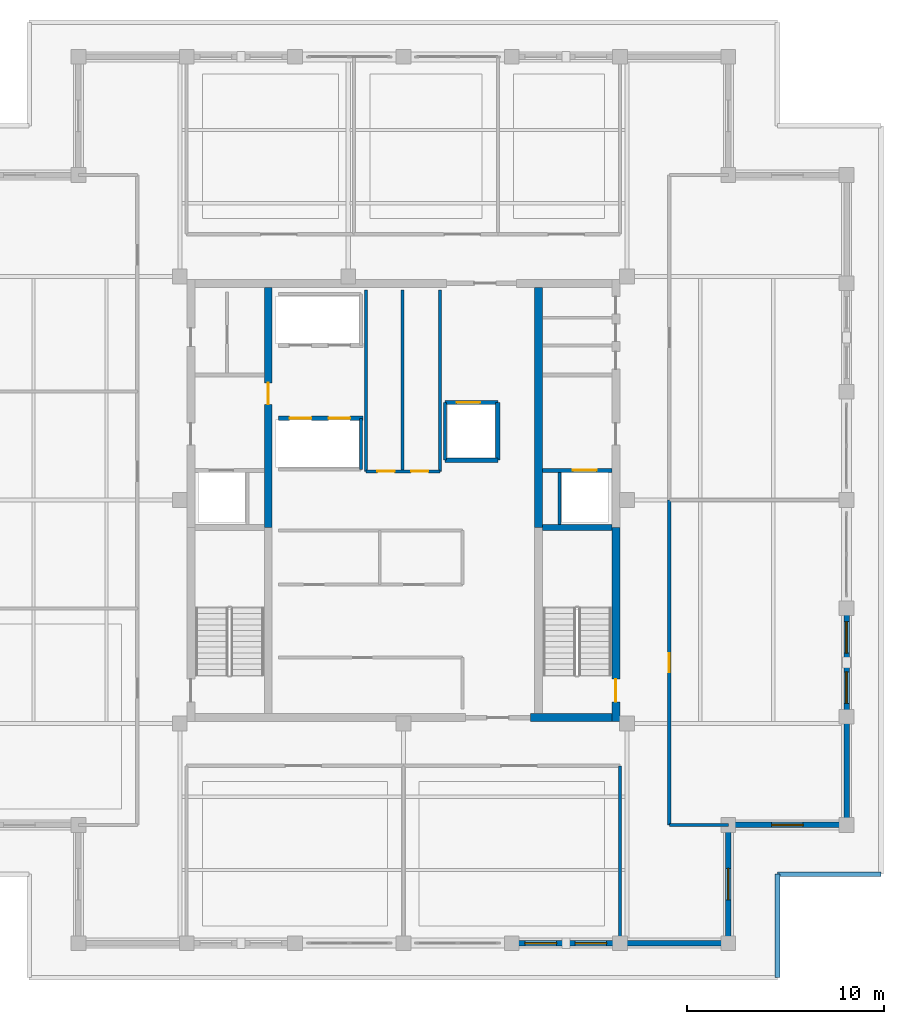
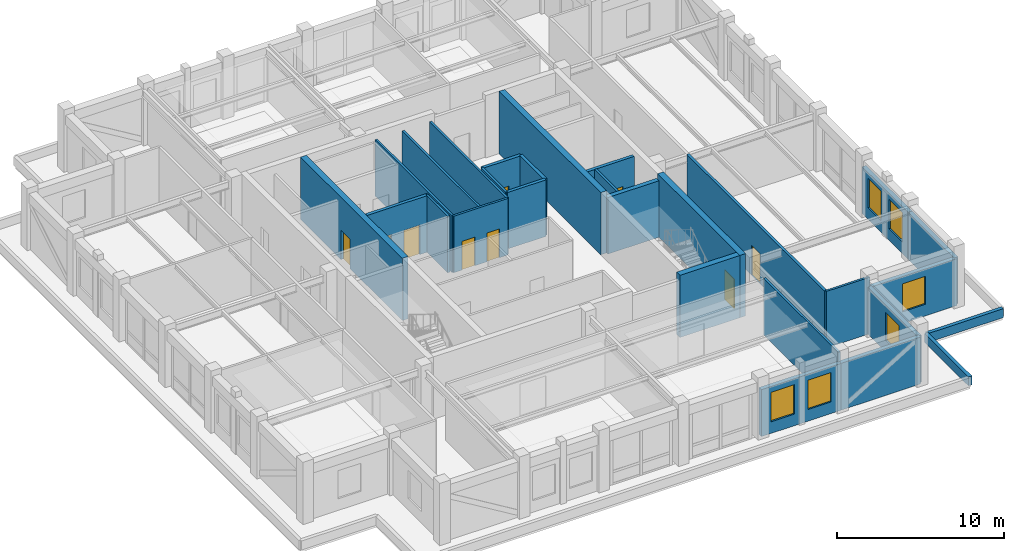
# One storey, part 8 of 13: 28 walls, 9 doors, 6 windows, 15 openings.
"""IFC4 building model written with IfcOpenShell, lengths in metres."""

from ifc_helpers import new_model, si_unit, direction, frame, frame_2d, origin, place, context, subcontext, project, spatial, rectangle, extrude, material, layer, layer_set, type_object, element, fill, save


model = new_model("IFC4")

# Units and contexts
model_context = context("Model", 3, precision=1e-05, world=origin(), true_north=direction((0.0, 1.0)))
body_context = subcontext(model_context, "Body", "Model", "MODEL_VIEW")
ifc_project = project(units=[si_unit("LENGTHUNIT", "METRE"), si_unit("AREAUNIT", "SQUARE_METRE"), si_unit("VOLUMEUNIT", "CUBIC_METRE"), si_unit("PLANEANGLEUNIT", "RADIAN"), si_unit("MASSUNIT", "GRAM", prefix="KILO")], contexts=[model_context])

# Site, building, storey
site_placement = place(None, origin())
site = spatial("IfcSite", under=ifc_project, at=site_placement, CompositionType="ELEMENT")
building_placement = place(site_placement, origin())
building = spatial("IfcBuilding", under=site, at=building_placement, Name="Nhamokura Convention Tower", CompositionType="ELEMENT")
storey_placement = place(building_placement, frame((0.0, 0.0, 257.60009765625)))
storey = spatial("IfcBuildingStorey", under=building, at=storey_placement, Name="L63", CompositionType="ELEMENT", Elevation=257.60009765625)

# Wall, openings, windows
ifc_material_1 = material(Name="Bronze-pigmented precast concrete C45/55", Category="concrete")
ifc_layer_1 = layer(ifc_material_1, 0.280029296875)
ifc_layer_set_1 = layer_set([ifc_layer_1], Name="BronzePrecastSpandrel_280")
wall_type_1 = type_object("IfcWallType", Name="BronzePrecastSpandrel_280", PredefinedType="USERDEFINED", material=ifc_layer_set_1)
wall_1_placement = place(storey_placement, frame((43.0, 9.5, 0.0), z_axis=(0.0, 0.0, 1.0), x_axis=(-1.0, 0.0, 0.0)))
wall_1 = element("IfcWall", 1, at=wall_1_placement, inside=storey, type_object=wall_type_1, Name="L63 Masonry-Frame Wall SOUTH 4", ObjectType="SPANDREL_WALL", PredefinedType="USERDEFINED", context=body_context, shape_type="SweptSolid", body=[
    extrude(rectangle(XDim=5.5, YDim=0.280029296875, at=frame_2d((2.75, 0.0))), origin(), (0.0, 0.0, 1.0), 3.429931640625),
])
opening_1_placement = place(wall_1_placement, frame((0.675048828125, 0.0, 0.85009765625)))
opening_1 = element("IfcOpeningElement", 2, at=opening_1_placement, cuts=wall_1, Name="Opening W-11", PredefinedType="OPENING", context=body_context, shape_type="SweptSolid", body=[
    extrude(rectangle(XDim=1.60009765625, YDim=2.14990234375, at=frame_2d((0.800048828125, 1.074951171875))), frame((0.0, 0.14990234375, 0.0), z_axis=(0.0, -1.0, 0.0), x_axis=(1.0, 0.0, 0.0)), (0.0, 0.0, 1.0), 0.300048828125),
])
opening_2_placement = place(wall_1_placement, frame((3.22509765625, 0.0, 0.85009765625)))
opening_2 = element("IfcOpeningElement", 3, at=opening_2_placement, cuts=wall_1, Name="Opening W-11", PredefinedType="OPENING", context=body_context, shape_type="SweptSolid", body=[
    extrude(rectangle(XDim=1.60009765625, YDim=2.14990234375, at=frame_2d((0.800048828125, 1.074951171875))), frame((0.0, 0.14990234375, 0.0), z_axis=(0.0, -1.0, 0.0), x_axis=(1.0, 0.0, 0.0)), (0.0, 0.0, 1.0), 0.300048828125),
])
ifc_material_2 = material(Name="Solar-control bronze low-E double glass", Category="glass")
window_type = type_object("IfcWindowType", Name="NotchCornerWindow_1600", PartitioningType="SINGLE_PANEL", PredefinedType="WINDOW", material=ifc_material_2)
window_1_placement = place(opening_1_placement, origin())
window_1 = element("IfcWindow", 4, at=window_1_placement, inside=storey, type_object=window_type, Name="L63 Facade Window SOUTH 4-1", OverallHeight=2.14990234375, OverallWidth=1.60009765625, PartitioningType="SINGLE_PANEL", PredefinedType="WINDOW", context=body_context, shape_type="SweptSolid", body=[
    extrude(rectangle(XDim=1.60009765625, YDim=2.14990234375, at=frame_2d((0.800048828125, 1.074951171875))), frame((0.0, 0.030029296875, 0.0), z_axis=(0.0, -1.0, 0.0), x_axis=(1.0, 0.0, 0.0)), (0.0, 0.0, 1.0), 0.06005859375),
])
fill(opening_1, window_1)
window_2_placement = place(opening_2_placement, origin())
window_2 = element("IfcWindow", 5, at=window_2_placement, inside=storey, type_object=window_type, Name="L63 Facade Window SOUTH 4-2", OverallHeight=2.14990234375, OverallWidth=1.60009765625, PartitioningType="SINGLE_PANEL", PredefinedType="WINDOW", context=body_context, shape_type="SweptSolid", body=[
    extrude(rectangle(XDim=1.60009765625, YDim=2.14990234375, at=frame_2d((0.800048828125, 1.074951171875))), frame((0.0, 0.030029296875, 0.0), z_axis=(0.0, -1.0, 0.0), x_axis=(1.0, 0.0, 0.0)), (0.0, 0.0, 1.0), 0.06005859375),
])
fill(opening_2, window_2)

# Walls
for number, where, z_axis, x_axis, name in (
    (6, (48.5, 9.5, 0.0), (0.0, 0.0, 1.0), (-1.0, 0.0, 0.0), "L63 Braced-Bay Precast Wall SOUTH 5"),
    (7, (54.5, 21.0, 0.0), (0.0, 0.0, 1.0), (0.0, -1.0, 0.0), "L63 Braced-Bay Precast Wall EAST 0"),
):
    element("IfcWall", number, at=place(storey_placement, frame(where, z_axis=z_axis, x_axis=x_axis)), inside=storey, type_object=wall_type_1, Name=name, ObjectType="SPANDREL_WALL", PredefinedType="USERDEFINED", context=body_context, shape_type="SweptSolid", body=[
        extrude(rectangle(XDim=5.5, YDim=0.280029296875, at=frame_2d((2.75, 0.0))), origin(), (0.0, 0.0, 1.0), 3.429931640625),
    ])

# Wall, openings, windows
wall_2_placement = place(storey_placement, frame((54.5, 26.5, 0.0), z_axis=(0.0, 0.0, 1.0), x_axis=(0.0, -1.0, 0.0)))
wall_2 = element("IfcWall", 8, at=wall_2_placement, inside=storey, type_object=wall_type_1, Name="L63 Masonry-Frame Wall EAST 1", ObjectType="SPANDREL_WALL", PredefinedType="USERDEFINED", context=body_context, shape_type="SweptSolid", body=[
    extrude(rectangle(XDim=5.5, YDim=0.280029296875, at=frame_2d((2.75, 0.0))), origin(), (0.0, 0.0, 1.0), 3.429931640625),
])
opening_3_placement = place(wall_2_placement, frame((0.675048828125, 0.0, 0.85009765625)))
opening_3 = element("IfcOpeningElement", 9, at=opening_3_placement, cuts=wall_2, Name="Opening W-11", PredefinedType="OPENING", context=body_context, shape_type="SweptSolid", body=[
    extrude(rectangle(XDim=1.60009765625, YDim=2.14990234375, at=frame_2d((0.800048828125, 1.074951171875))), frame((0.0, 0.14990234375, 0.0), z_axis=(0.0, -1.0, 0.0), x_axis=(1.0, 0.0, 0.0)), (0.0, 0.0, 1.0), 0.300048828125),
])
opening_4_placement = place(wall_2_placement, frame((3.22509765625, 0.0, 0.85009765625)))
opening_4 = element("IfcOpeningElement", 10, at=opening_4_placement, cuts=wall_2, Name="Opening W-11", PredefinedType="OPENING", context=body_context, shape_type="SweptSolid", body=[
    extrude(rectangle(XDim=1.60009765625, YDim=2.14990234375, at=frame_2d((0.800048828125, 1.074951171875))), frame((0.0, 0.14990234375, 0.0), z_axis=(0.0, -1.0, 0.0), x_axis=(1.0, 0.0, 0.0)), (0.0, 0.0, 1.0), 0.300048828125),
])
window_3_placement = place(opening_3_placement, origin())
window_3 = element("IfcWindow", 11, at=window_3_placement, inside=storey, type_object=window_type, Name="L63 Facade Window EAST 1-1", OverallHeight=2.14990234375, OverallWidth=1.60009765625, PartitioningType="SINGLE_PANEL", PredefinedType="WINDOW", context=body_context, shape_type="SweptSolid", body=[
    extrude(rectangle(XDim=1.60009765625, YDim=2.14990234375, at=frame_2d((0.800048828125, 1.074951171875))), frame((0.0, 0.030029296875, 0.0), z_axis=(0.0, -1.0, 0.0), x_axis=(1.0, 0.0, 0.0)), (0.0, 0.0, 1.0), 0.06005859375),
])
fill(opening_3, window_3)
window_4_placement = place(opening_4_placement, origin())
window_4 = element("IfcWindow", 12, at=window_4_placement, inside=storey, type_object=window_type, Name="L63 Facade Window EAST 1-2", OverallHeight=2.14990234375, OverallWidth=1.60009765625, PartitioningType="SINGLE_PANEL", PredefinedType="WINDOW", context=body_context, shape_type="SweptSolid", body=[
    extrude(rectangle(XDim=1.60009765625, YDim=2.14990234375, at=frame_2d((0.800048828125, 1.074951171875))), frame((0.0, 0.030029296875, 0.0), z_axis=(0.0, -1.0, 0.0), x_axis=(1.0, 0.0, 0.0)), (0.0, 0.0, 1.0), 0.06005859375),
])
fill(opening_4, window_4)

# Wall, opening, window
wall_3_placement = place(storey_placement, frame((48.5, 15.5, 0.0), z_axis=(0.0, 0.0, 1.0), x_axis=(0.0, -1.0, 0.0)))
wall_3 = element("IfcWall", 13, at=wall_3_placement, inside=storey, type_object=wall_type_1, Name="L63 Notched Corner Wall SE1", ObjectType="SPANDREL_WALL", PredefinedType="USERDEFINED", context=body_context, shape_type="SweptSolid", body=[
    extrude(rectangle(XDim=6.0, YDim=0.280029296875, at=frame_2d((3.0, 0.0))), origin(), (0.0, 0.0, 1.0), 3.429931640625),
])
opening_5_placement = place(wall_3_placement, frame((2.199951171875, 0.0, 0.85009765625)))
opening_5 = element("IfcOpeningElement", 14, at=opening_5_placement, cuts=wall_3, Name="Opening W-11", PredefinedType="OPENING", context=body_context, shape_type="SweptSolid", body=[
    extrude(rectangle(XDim=1.60009765625, YDim=2.050048828125, at=frame_2d((0.800048828125, 1.02490234375))), frame((0.0, 0.14990234375, 0.0), z_axis=(0.0, -1.0, 0.0), x_axis=(1.0, 0.0, 0.0)), (0.0, 0.0, 1.0), 0.300048828125),
])
window_5_placement = place(opening_5_placement, origin())
window_5 = element("IfcWindow", 15, at=window_5_placement, inside=storey, type_object=window_type, Name="L63 Notched Corner Window SE1", OverallHeight=2.050048828125, OverallWidth=1.60009765625, PartitioningType="SINGLE_PANEL", PredefinedType="WINDOW", context=body_context, shape_type="SweptSolid", body=[
    extrude(rectangle(XDim=1.60009765625, YDim=2.050048828125, at=frame_2d((0.800048828125, 1.02490234375))), frame((0.0, 0.030029296875, 0.0), z_axis=(0.0, -1.0, 0.0), x_axis=(1.0, 0.0, 0.0)), (0.0, 0.0, 1.0), 0.06005859375),
])
fill(opening_5, window_5)

wall_4_placement = place(storey_placement, frame((54.5, 15.5, 0.0), z_axis=(0.0, 0.0, 1.0), x_axis=(-1.0, 0.0, 0.0)))
wall_4 = element("IfcWall", 16, at=wall_4_placement, inside=storey, type_object=wall_type_1, Name="L63 Notched Corner Wall SE2", ObjectType="SPANDREL_WALL", PredefinedType="USERDEFINED", context=body_context, shape_type="SweptSolid", body=[
    extrude(rectangle(XDim=6.0, YDim=0.280029296875, at=frame_2d((3.0, 0.0))), origin(), (0.0, 0.0, 1.0), 3.429931640625),
])
opening_6_placement = place(wall_4_placement, frame((2.199951171875, 0.0, 0.85009765625)))
opening_6 = element("IfcOpeningElement", 17, at=opening_6_placement, cuts=wall_4, Name="Opening W-11", PredefinedType="OPENING", context=body_context, shape_type="SweptSolid", body=[
    extrude(rectangle(XDim=1.60009765625, YDim=2.050048828125, at=frame_2d((0.800048828125, 1.02490234375))), frame((0.0, 0.14990234375, 0.0), z_axis=(0.0, -1.0, 0.0), x_axis=(1.0, 0.0, 0.0)), (0.0, 0.0, 1.0), 0.300048828125),
])
window_6_placement = place(opening_6_placement, origin())
window_6 = element("IfcWindow", 18, at=window_6_placement, inside=storey, type_object=window_type, Name="L63 Notched Corner Window SE2", OverallHeight=2.050048828125, OverallWidth=1.60009765625, PartitioningType="SINGLE_PANEL", PredefinedType="WINDOW", context=body_context, shape_type="SweptSolid", body=[
    extrude(rectangle(XDim=1.60009765625, YDim=2.050048828125, at=frame_2d((0.800048828125, 1.02490234375))), frame((0.0, 0.030029296875, 0.0), z_axis=(0.0, -1.0, 0.0), x_axis=(1.0, 0.0, 0.0)), (0.0, 0.0, 1.0), 0.06005859375),
])
fill(opening_6, window_6)

# Wall, opening, door
ifc_material_3 = material(Name="Concrete C50/60", Category="concrete")
ifc_layer_2 = layer(ifc_material_3, 0.39990234375)
ifc_layer_set_2 = layer_set([ifc_layer_2], Name="CoreShearWall_400")
wall_type_2 = type_object("IfcWallType", Name="CoreShearWall_400", PredefinedType="SHEAR", material=ifc_layer_set_2)
wall_5_placement = place(storey_placement, frame((42.7900390625, 20.75, 0.0), z_axis=(0.0, 0.0, 1.0), x_axis=(0.0, 1.0, 0.0)))
wall_5 = element("IfcWall", 19, at=wall_5_placement, inside=storey, type_object=wall_type_2, Name="L63 Core Shear Wall CW-ES", PredefinedType="SHEAR", context=body_context, shape_type="SweptSolid", body=[
    extrude(rectangle(XDim=9.85009765625, YDim=0.39990234375, at=frame_2d((4.925048828125, 0.0))), origin(), (0.0, 0.0, 1.0), 4.5498046875),
])
opening_7_placement = place(wall_5_placement, frame((1.0, 0.0, 0.0)))
opening_7 = element("IfcOpeningElement", 20, at=opening_7_placement, cuts=wall_5, Name="Opening D-04", PredefinedType="OPENING", context=body_context, shape_type="SweptSolid", body=[
    extrude(rectangle(XDim=1.14990234375, YDim=2.14990234375, at=frame_2d((0.574951171875, 1.074951171875))), frame((0.0, 0.2099609375, 0.0), z_axis=(0.0, -1.0, 0.0), x_axis=(1.0, 0.0, 0.0)), (0.0, 0.0, 1.0), 0.419921875),
])
ifc_material_4 = material(Name="Fire-rated steel door", Category="steel")
door_type_1 = type_object("IfcDoorType", Name="StairSmokeDoor_1150", OperationType="NOTDEFINED", PredefinedType="DOOR", material=ifc_material_4)
door_1_placement = place(opening_7_placement, origin())
door_1 = element("IfcDoor", 21, at=door_1_placement, inside=storey, type_object=door_type_1, Name="L63 Core Door INT-L63-D-ST02", OperationType="SINGLE_SWING_RIGHT", OverallHeight=2.14990234375, OverallWidth=1.14990234375, PredefinedType="DOOR", context=body_context, shape_type="SweptSolid", body=[
    extrude(rectangle(XDim=1.14990234375, YDim=2.14990234375, at=frame_2d((0.574951171875, 1.074951171875))), frame((0.0, 0.02490234375, 0.0), z_axis=(0.0, -1.0, 0.0), x_axis=(1.0, 0.0, 0.0)), (0.0, 0.0, 1.0), 0.050048828125),
])
fill(opening_7, door_1)

# Wall
wall_6_placement = place(storey_placement, frame((38.449951171875, 20.949951171875, 0.0), z_axis=(0.0, 0.0, 1.0), x_axis=(1.0, 0.0, 0.0)))
element("IfcWall", 22, at=wall_6_placement, inside=storey, type_object=wall_type_2, Name="L63 Core Shear Wall CW-S2", PredefinedType="SHEAR", context=body_context, shape_type="SweptSolid", body=[
    extrude(rectangle(XDim=4.14013671875, YDim=0.39990234375, at=frame_2d((2.070068359375, 0.0))), origin(), (0.0, 0.0, 1.0), 4.5498046875),
])

# Wall, opening, door
wall_7_placement = place(storey_placement, frame((25.139892578125, 30.60009765625, 0.0), z_axis=(0.0, 0.0, 1.0), x_axis=(0.0, 1.0, 0.0)))
wall_7 = element("IfcWall", 23, at=wall_7_placement, inside=storey, type_object=wall_type_2, Name="L63 Core Shear Wall CW-IWN", PredefinedType="SHEAR", context=body_context, shape_type="SweptSolid", body=[
    extrude(rectangle(XDim=12.199951171875, YDim=0.39990234375, at=frame_2d((6.10009765625, 0.0))), origin(), (0.0, 0.0, 1.0), 4.5498046875),
])
opening_8_placement = place(wall_7_placement, frame((6.25, 0.0, 0.0)))
opening_8 = element("IfcOpeningElement", 24, at=opening_8_placement, cuts=wall_7, Name="Opening D-05", PredefinedType="OPENING", context=body_context, shape_type="SweptSolid", body=[
    extrude(rectangle(XDim=1.10009765625, YDim=2.14990234375, at=frame_2d((0.550048828125, 1.074951171875))), frame((0.0, 0.2099609375, 0.0), z_axis=(0.0, -1.0, 0.0), x_axis=(1.0, 0.0, 0.0)), (0.0, 0.0, 1.0), 0.419921875),
])
ifc_material_5 = material(Name="Fire-rated steel door", Category="steel")
door_type_2 = type_object("IfcDoorType", Name="FireLobbyDoor_1100", OperationType="NOTDEFINED", PredefinedType="DOOR", material=ifc_material_5)
door_2_placement = place(opening_8_placement, origin())
door_2 = element("IfcDoor", 25, at=door_2_placement, inside=storey, type_object=door_type_2, Name="L63 Core Door INT-L63-D-B3LOB", OperationType="SINGLE_SWING_LEFT", OverallHeight=2.14990234375, OverallWidth=1.10009765625, PredefinedType="DOOR", context=body_context, shape_type="SweptSolid", body=[
    extrude(rectangle(XDim=1.10009765625, YDim=2.14990234375, at=frame_2d((0.550048828125, 1.074951171875))), frame((0.0, 0.02490234375, 0.0), z_axis=(0.0, -1.0, 0.0), x_axis=(1.0, 0.0, 0.0)), (0.0, 0.0, 1.0), 0.050048828125),
])
fill(opening_8, door_2)

# Wall
wall_8_placement = place(storey_placement, frame((38.860107421875, 30.60009765625, 0.0), z_axis=(0.0, 0.0, 1.0), x_axis=(0.0, 1.0, 0.0)))
element("IfcWall", 26, at=wall_8_placement, inside=storey, type_object=wall_type_2, Name="L63 Core Shear Wall CW-IEN", PredefinedType="SHEAR", context=body_context, shape_type="SweptSolid", body=[
    extrude(rectangle(XDim=12.199951171875, YDim=0.39990234375, at=frame_2d((6.10009765625, 0.0))), origin(), (0.0, 0.0, 1.0), 4.5498046875),
])

# Wall, opening, door
ifc_material_6 = material(Name="Fire-rated gypsum and masonry partition", Category="masonry")
ifc_layer_3 = layer(ifc_material_6, 0.179931640625)
ifc_layer_set_3 = layer_set([ifc_layer_3], Name="CorridorRatedWall_180")
wall_type_3 = type_object("IfcWallType", Name="CorridorRatedWall_180", PredefinedType="STANDARD", material=ifc_layer_set_3)
wall_9_placement = place(storey_placement, frame((45.5, 15.5, 0.0), z_axis=(0.0, 0.0, 1.0), x_axis=(0.0, 1.0, 0.0)))
wall_9 = element("IfcWall", 27, at=wall_9_placement, inside=storey, type_object=wall_type_3, Name="L63 Wall INT-L63-CW-E00", PredefinedType="STANDARD", context=body_context, shape_type="SweptSolid", body=[
    extrude(rectangle(XDim=16.5, YDim=0.179931640625, at=frame_2d((8.25, 0.0))), origin(), (0.0, 0.0, 1.0), 4.1298828125),
])
opening_9_placement = place(wall_9_placement, frame((7.75, 0.0, 0.0)))
opening_9 = element("IfcOpeningElement", 28, at=opening_9_placement, cuts=wall_9, Name="Opening D-08", PredefinedType="OPENING", context=body_context, shape_type="SweptSolid", body=[
    extrude(rectangle(XDim=0.97998046875, YDim=2.199951171875, at=frame_2d((0.489990234375, 1.10009765625))), frame((0.0, 0.099853515625, 0.0), z_axis=(0.0, -1.0, 0.0), x_axis=(1.0, 0.0, 0.0)), (0.0, 0.0, 1.0), 0.199951171875),
])
ifc_material_7 = material(Name="Solid oak hardwood", Category="wood")
door_type_3 = type_object("IfcDoorType", Name="OfficeEntryDoor_980", OperationType="NOTDEFINED", PredefinedType="DOOR", material=ifc_material_7)
door_3_placement = place(opening_9_placement, origin())
door_3 = element("IfcDoor", 29, at=door_3_placement, inside=storey, type_object=door_type_3, Name="L63 Waiting Lounge E01 Door", OperationType="SINGLE_SWING_LEFT", OverallHeight=2.199951171875, OverallWidth=0.97998046875, PredefinedType="DOOR", context=body_context, shape_type="SweptSolid", body=[
    extrude(rectangle(XDim=0.97998046875, YDim=2.199951171875, at=frame_2d((0.489990234375, 1.10009765625))), frame((0.0, 0.02490234375, 0.0), z_axis=(0.0, -1.0, 0.0), x_axis=(1.0, 0.0, 0.0)), (0.0, 0.0, 1.0), 0.050048828125),
])
fill(opening_9, door_3)

ifc_material_8 = material(Name="Autoclaved concrete blockwork", Category="masonry")
ifc_layer_4 = layer(ifc_material_8, 0.219970703125)
ifc_layer_set_4 = layer_set([ifc_layer_4], Name="FireLobbyWall_220")
wall_type_4 = type_object("IfcWallType", Name="FireLobbyWall_220", PredefinedType="STANDARD", material=ifc_layer_set_4)
wall_10_placement = place(storey_placement, frame((39.06005859375, 33.5, 0.0), z_axis=(0.0, 0.0, 1.0), x_axis=(1.0, 0.0, 0.0)))
wall_10 = element("IfcWall", 30, at=wall_10_placement, inside=storey, type_object=wall_type_4, Name="L63 Wall INT-L63-FFE-S", PredefinedType="STANDARD", context=body_context, shape_type="SweptSolid", body=[
    extrude(rectangle(XDim=3.530029296875, YDim=0.219970703125, at=frame_2d((1.76513671875, 0.0))), origin(), (0.0, 0.0, 1.0), 4.1298828125),
])
opening_10_placement = place(wall_10_placement, frame((1.550048828125, 0.0, 0.0)))
opening_10 = element("IfcOpeningElement", 31, at=opening_10_placement, cuts=wall_10, Name="Opening LD-02", PredefinedType="OPENING", context=body_context, shape_type="SweptSolid", body=[
    extrude(rectangle(XDim=1.199951171875, YDim=2.199951171875, at=frame_2d((0.60009765625, 1.10009765625))), frame((0.0, 0.119873046875, 0.0), z_axis=(0.0, -1.0, 0.0), x_axis=(1.0, 0.0, 0.0)), (0.0, 0.0, 1.0), 0.239990234375),
])
ifc_material_9 = material(Name="Anodised bronze stainless steel", Category="steel")
door_type_4 = type_object("IfcDoorType", Name="LiftLandingDoor_FireService", OperationType="DOUBLE_DOOR_SLIDING", PredefinedType="DOOR", material=ifc_material_9)
door_4_placement = place(opening_10_placement, origin())
door_4 = element("IfcDoor", 32, at=door_4_placement, inside=storey, type_object=door_type_4, Name="L63 Firefighting Lift LF-02 Door", OperationType="DOUBLE_DOOR_SLIDING", OverallHeight=2.199951171875, OverallWidth=1.199951171875, PredefinedType="DOOR", context=body_context, shape_type="SweptSolid", body=[
    extrude(rectangle(XDim=1.199951171875, YDim=2.199951171875, at=frame_2d((0.60009765625, 1.10009765625))), frame((0.0, 0.02490234375, 0.0), z_axis=(0.0, -1.0, 0.0), x_axis=(1.0, 0.0, 0.0)), (0.0, 0.0, 1.0), 0.050048828125),
])
fill(opening_10, door_4)

# Wall, openings, doors
wall_11_placement = place(storey_placement, frame((25.64990234375, 36.14990234375, 0.0), z_axis=(0.0, 0.0, 1.0), x_axis=(1.0, 0.0, 0.0)))
wall_11 = element("IfcWall", 33, at=wall_11_placement, inside=storey, type_object=wall_type_4, Name="L63 Wall INT-L63-B3S", PredefinedType="STANDARD", context=body_context, shape_type="SweptSolid", body=[
    extrude(rectangle(XDim=4.300048828125, YDim=0.219970703125, at=frame_2d((2.14990234375, 0.0))), origin(), (0.0, 0.0, 1.0), 4.1298828125),
])
opening_11_placement = place(wall_11_placement, frame((0.580078125, 0.0, 0.0)))
opening_11 = element("IfcOpeningElement", 34, at=opening_11_placement, cuts=wall_11, Name="Opening LD-01", PredefinedType="OPENING", context=body_context, shape_type="SweptSolid", body=[
    extrude(rectangle(XDim=1.10009765625, YDim=2.14990234375, at=frame_2d((0.550048828125, 1.074951171875))), frame((0.0, 0.119873046875, 0.0), z_axis=(0.0, -1.0, 0.0), x_axis=(1.0, 0.0, 0.0)), (0.0, 0.0, 1.0), 0.239990234375),
])
opening_12_placement = place(wall_11_placement, frame((2.550048828125, 0.0, 0.0)))
opening_12 = element("IfcOpeningElement", 35, at=opening_12_placement, cuts=wall_11, Name="Opening LD-01", PredefinedType="OPENING", context=body_context, shape_type="SweptSolid", body=[
    extrude(rectangle(XDim=1.10009765625, YDim=2.14990234375, at=frame_2d((0.550048828125, 1.074951171875))), frame((0.0, 0.119873046875, 0.0), z_axis=(0.0, -1.0, 0.0), x_axis=(1.0, 0.0, 0.0)), (0.0, 0.0, 1.0), 0.239990234375),
])
ifc_material_10 = material(Name="Anodised bronze stainless steel", Category="steel")
door_type_5 = type_object("IfcDoorType", Name="LiftLandingDoor_Passenger", OperationType="DOUBLE_DOOR_SLIDING", PredefinedType="DOOR", material=ifc_material_10)
door_5_placement = place(opening_11_placement, origin())
door_5 = element("IfcDoor", 36, at=door_5_placement, inside=storey, type_object=door_type_5, Name="L63 Lift LP-09 Door", OperationType="DOUBLE_DOOR_SLIDING", OverallHeight=2.14990234375, OverallWidth=1.10009765625, PredefinedType="DOOR", context=body_context, shape_type="SweptSolid", body=[
    extrude(rectangle(XDim=1.10009765625, YDim=2.14990234375, at=frame_2d((0.550048828125, 1.074951171875))), frame((0.0, 0.02490234375, 0.0), z_axis=(0.0, -1.0, 0.0), x_axis=(1.0, 0.0, 0.0)), (0.0, 0.0, 1.0), 0.050048828125),
])
fill(opening_11, door_5)
door_6_placement = place(opening_12_placement, origin())
door_6 = element("IfcDoor", 37, at=door_6_placement, inside=storey, type_object=door_type_5, Name="L63 Lift LP-10 Door", OperationType="DOUBLE_DOOR_SLIDING", OverallHeight=2.14990234375, OverallWidth=1.10009765625, PredefinedType="DOOR", context=body_context, shape_type="SweptSolid", body=[
    extrude(rectangle(XDim=1.10009765625, YDim=2.14990234375, at=frame_2d((0.550048828125, 1.074951171875))), frame((0.0, 0.02490234375, 0.0), z_axis=(0.0, -1.0, 0.0), x_axis=(1.0, 0.0, 0.0)), (0.0, 0.0, 1.0), 0.050048828125),
])
fill(opening_12, door_6)

# Wall, opening, door
wall_12_placement = place(storey_placement, frame((34.1201171875, 36.949951171875, 0.0), z_axis=(0.0, 0.0, 1.0), x_axis=(1.0, 0.0, 0.0)))
wall_12 = element("IfcWall", 38, at=wall_12_placement, inside=storey, type_object=wall_type_4, Name="L63 Wall INT-L63-LSN", PredefinedType="STANDARD", context=body_context, shape_type="SweptSolid", body=[
    extrude(rectangle(XDim=2.679931640625, YDim=0.219970703125, at=frame_2d((1.33984375, 0.0))), origin(), (0.0, 0.0, 1.0), 4.1298828125),
])
opening_13_placement = place(wall_12_placement, frame((0.580078125, 0.0, 0.0)))
opening_13 = element("IfcOpeningElement", 39, at=opening_13_placement, cuts=wall_12, Name="Opening LD-02", PredefinedType="OPENING", context=body_context, shape_type="SweptSolid", body=[
    extrude(rectangle(XDim=1.199951171875, YDim=2.199951171875, at=frame_2d((0.60009765625, 1.10009765625))), frame((0.0, 0.119873046875, 0.0), z_axis=(0.0, -1.0, 0.0), x_axis=(1.0, 0.0, 0.0)), (0.0, 0.0, 1.0), 0.239990234375),
])
door_7_placement = place(opening_13_placement, origin())
door_7 = element("IfcDoor", 40, at=door_7_placement, inside=storey, type_object=door_type_4, Name="L63 Service Lift LS-01 Door", OperationType="DOUBLE_DOOR_SLIDING", OverallHeight=2.199951171875, OverallWidth=1.199951171875, PredefinedType="DOOR", context=body_context, shape_type="SweptSolid", body=[
    extrude(rectangle(XDim=1.199951171875, YDim=2.199951171875, at=frame_2d((0.60009765625, 1.10009765625))), frame((0.0, 0.02490234375, 0.0), z_axis=(0.0, -1.0, 0.0), x_axis=(1.0, 0.0, 0.0)), (0.0, 0.0, 1.0), 0.050048828125),
])
fill(opening_13, door_7)

# Walls
wall_13_placement = place(storey_placement, frame((36.800048828125, 34.02001953125, 0.0), z_axis=(0.0, 0.0, 1.0), x_axis=(0.0, 1.0, 0.0)))
element("IfcWall", 41, at=wall_13_placement, inside=storey, type_object=wall_type_4, Name="L63 Wall INT-L63-LSE", PredefinedType="STANDARD", context=body_context, shape_type="SweptSolid", body=[
    extrude(rectangle(XDim=2.929931640625, YDim=0.219970703125, at=frame_2d((1.46484375, 0.0))), origin(), (0.0, 0.0, 1.0), 4.1298828125),
])
wall_14_placement = place(storey_placement, frame((34.1201171875, 34.02001953125, 0.0), z_axis=(0.0, 0.0, 1.0), x_axis=(1.0, 0.0, 0.0)))
element("IfcWall", 42, at=wall_14_placement, inside=storey, type_object=wall_type_4, Name="L63 Wall INT-L63-LSS", PredefinedType="STANDARD", context=body_context, shape_type="SweptSolid", body=[
    extrude(rectangle(XDim=2.679931640625, YDim=0.219970703125, at=frame_2d((1.33984375, 0.0))), origin(), (0.0, 0.0, 1.0), 4.1298828125),
])
ifc_material_11 = material(Name="Acoustic gypsum stud partition", Category="masonry")
ifc_layer_5 = layer(ifc_material_11, 0.14990234375)
ifc_layer_set_5 = layer_set([ifc_layer_5], Name="InteriorPartition_150")
wall_type_5 = type_object("IfcWallType", Name="InteriorPartition_150", PredefinedType="STANDARD", material=ifc_layer_set_5)
wall_15_placement = place(storey_placement, frame((39.919921875, 30.75, 0.0), z_axis=(0.0, 0.0, 1.0), x_axis=(0.0, 1.0, 0.0)))
element("IfcWall", 43, at=wall_15_placement, inside=storey, type_object=wall_type_5, Name="L63 Wall INT-L63-FF2-W", PredefinedType="STANDARD", context=body_context, shape_type="SweptSolid", body=[
    extrude(rectangle(XDim=2.64990234375, YDim=0.14990234375, at=frame_2d((1.324951171875, 0.0))), origin(), (0.0, 0.0, 1.0), 4.1298828125),
])
wall_16_placement = place(storey_placement, frame((29.85009765625, 33.550048828125, 0.0), z_axis=(0.0, 0.0, 1.0), x_axis=(0.0, 1.0, 0.0)))
element("IfcWall", 44, at=wall_16_placement, inside=storey, type_object=wall_type_5, Name="L63 Wall INT-L63-B3A-E", PredefinedType="STANDARD", context=body_context, shape_type="SweptSolid", body=[
    extrude(rectangle(XDim=2.599853515625, YDim=0.14990234375, at=frame_2d((1.2998046875, 0.0))), origin(), (0.0, 0.0, 1.0), 4.1298828125),
])
for number, where, z_axis, x_axis, name in (
    (45, (30.10009765625, 33.449951171875, 0.0), (0.0, 0.0, 1.0), (0.0, 1.0, 0.0), "L63 Wall INT-L63-ST03W"),
    (46, (31.949951171875, 33.449951171875, 0.0), (0.0, 0.0, 1.0), (0.0, 1.0, 0.0), "L63 Wall INT-L63-ST03M"),
    (47, (33.85009765625, 33.449951171875, 0.0), (0.0, 0.0, 1.0), (0.0, 1.0, 0.0), "L63 Wall INT-L63-ST03E"),
):
    element("IfcWall", number, at=place(storey_placement, frame(where, z_axis=z_axis, x_axis=x_axis)), inside=storey, type_object=wall_type_5, Name=name, PredefinedType="STANDARD", context=body_context, shape_type="SweptSolid", body=[
        extrude(rectangle(XDim=9.199951171875, YDim=0.14990234375, at=frame_2d((4.60009765625, 0.0))), origin(), (0.0, 0.0, 1.0), 4.1298828125),
    ])

# Wall, openings, doors
wall_17_placement = place(storey_placement, frame((30.10009765625, 33.449951171875, 0.0), z_axis=(0.0, 0.0, 1.0), x_axis=(1.0, 0.0, 0.0)))
wall_17 = element("IfcWall", 48, at=wall_17_placement, inside=storey, type_object=wall_type_5, Name="L63 Wall INT-L63-ST03S", PredefinedType="STANDARD", context=body_context, shape_type="SweptSolid", body=[
    extrude(rectangle(XDim=3.75, YDim=0.14990234375, at=frame_2d((1.875, 0.0))), origin(), (0.0, 0.0, 1.0), 4.1298828125),
])
opening_14_placement = place(wall_17_placement, frame((0.580078125, 0.0, 0.0)))
opening_14 = element("IfcOpeningElement", 49, at=opening_14_placement, cuts=wall_17, Name="Opening D-11", PredefinedType="OPENING", context=body_context, shape_type="SweptSolid", body=[
    extrude(rectangle(XDim=0.8798828125, YDim=2.10009765625, at=frame_2d((0.43994140625, 1.050048828125))), frame((0.0, 0.0849609375, 0.0), z_axis=(0.0, -1.0, 0.0), x_axis=(1.0, 0.0, 0.0)), (0.0, 0.0, 1.0), 0.169921875),
])
opening_15_placement = place(wall_17_placement, frame((2.2900390625, 0.0, 0.0)))
opening_15 = element("IfcOpeningElement", 50, at=opening_15_placement, cuts=wall_17, Name="Opening D-11", PredefinedType="OPENING", context=body_context, shape_type="SweptSolid", body=[
    extrude(rectangle(XDim=0.8798828125, YDim=2.10009765625, at=frame_2d((0.43994140625, 1.050048828125))), frame((0.0, 0.0849609375, 0.0), z_axis=(0.0, -1.0, 0.0), x_axis=(1.0, 0.0, 0.0)), (0.0, 0.0, 1.0), 0.169921875),
])
ifc_material_12 = material(Name="Solid oak hardwood", Category="wood")
door_type_6 = type_object("IfcDoorType", Name="BathroomDoor_880", OperationType="NOTDEFINED", PredefinedType="DOOR", material=ifc_material_12)
door_8_placement = place(opening_14_placement, origin())
door_8 = element("IfcDoor", 51, at=door_8_placement, inside=storey, type_object=door_type_6, Name="L63 Wellness Suite Door", OperationType="SINGLE_SWING_LEFT", OverallHeight=2.10009765625, OverallWidth=0.8798828125, PredefinedType="DOOR", context=body_context, shape_type="SweptSolid", body=[
    extrude(rectangle(XDim=0.8798828125, YDim=2.10009765625, at=frame_2d((0.43994140625, 1.050048828125))), frame((0.0, 0.02490234375, 0.0), z_axis=(0.0, -1.0, 0.0), x_axis=(1.0, 0.0, 0.0)), (0.0, 0.0, 1.0), 0.050048828125),
])
fill(opening_14, door_8)
door_9_placement = place(opening_15_placement, origin())
door_9 = element("IfcDoor", 52, at=door_9_placement, inside=storey, type_object=door_type_6, Name="L63 Records Archive Door", OperationType="SINGLE_SWING_RIGHT", OverallHeight=2.10009765625, OverallWidth=0.8798828125, PredefinedType="DOOR", context=body_context, shape_type="SweptSolid", body=[
    extrude(rectangle(XDim=0.8798828125, YDim=2.10009765625, at=frame_2d((0.43994140625, 1.050048828125))), frame((0.0, 0.02490234375, 0.0), z_axis=(0.0, -1.0, 0.0), x_axis=(1.0, 0.0, 0.0)), (0.0, 0.0, 1.0), 0.050048828125),
])
fill(opening_15, door_9)

# Walls
wall_18_placement = place(storey_placement, frame((34.1201171875, 34.02001953125, 0.0), z_axis=(0.0, 0.0, 1.0), x_axis=(0.0, 1.0, 0.0)))
element("IfcWall", 53, at=wall_18_placement, inside=storey, type_object=wall_type_5, Name="L63 Wall INT-L63-LSW", PredefinedType="STANDARD", context=body_context, shape_type="SweptSolid", body=[
    extrude(rectangle(XDim=2.929931640625, YDim=0.14990234375, at=frame_2d((1.46484375, 0.0))), origin(), (0.0, 0.0, 1.0), 4.1298828125),
])
wall_19_placement = place(storey_placement, frame((43.0, 9.56005859375, 0.0), z_axis=(0.0, 0.0, 1.0), x_axis=(0.0, 1.0, 0.0)))
element("IfcWall", 54, at=wall_19_placement, inside=storey, type_object=wall_type_5, Name="L63 Wall INT-L63-RWR-S", PredefinedType="STANDARD", context=body_context, shape_type="SweptSolid", body=[
    extrude(rectangle(XDim=8.93994140625, YDim=0.14990234375, at=frame_2d((4.469970703125, 0.0))), origin(), (0.0, 0.0, 1.0), 4.1298828125),
])
wall_20_placement = place(storey_placement, frame((45.5, 15.5, 0.0), z_axis=(0.0, 0.0, 1.0), x_axis=(1.0, 0.0, 0.0)))
element("IfcWall", 55, at=wall_20_placement, inside=storey, type_object=wall_type_5, Name="L63 Wall INT-L63-VSTP-ES", PredefinedType="STANDARD", context=body_context, shape_type="SweptSolid", body=[
    extrude(rectangle(XDim=3.0, YDim=0.14990234375, at=frame_2d((1.5, 0.0))), origin(), (0.0, 0.0, 1.0), 4.1298828125),
])
ifc_material_13 = material(Name="Concrete C50/60", Category="concrete")
ifc_layer_6 = layer(ifc_material_13, 0.300048828125)
ifc_layer_set_6 = layer_set([ifc_layer_6], Name="ShaftEnclosureWall_300")
wall_type_6 = type_object("IfcWallType", Name="ShaftEnclosureWall_300", PredefinedType="SHEAR", material=ifc_layer_set_6)
wall_21_placement = place(storey_placement, frame((39.06005859375, 30.60009765625, 0.0), z_axis=(0.0, 0.0, 1.0), x_axis=(1.0, 0.0, 0.0)))
element("IfcWall", 56, at=wall_21_placement, inside=storey, type_object=wall_type_6, Name="L63 Wall INT-L63-ST02-N", PredefinedType="SHEAR", context=body_context, shape_type="SweptSolid", body=[
    extrude(rectangle(XDim=3.530029296875, YDim=0.300048828125, at=frame_2d((1.76513671875, 0.0))), origin(), (0.0, 0.0, 1.0), 4.1298828125),
])
ifc_material_14 = material(Name="Bronze-pigmented precast concrete C45/55", Category="concrete")
ifc_layer_7 = layer(ifc_material_14, 0.239990234375)
ifc_layer_set_7 = layer_set([ifc_layer_7], Name="TerraceParapet_240")
wall_type_7 = type_object("IfcWallType", Name="TerraceParapet_240", PredefinedType="PARAPET", material=ifc_layer_set_7)
for number, where, z_axis, x_axis, name in (
    (57, (51.0, 7.75, 0.0), (0.0, 0.0, 1.0), (0.0, 1.0, 0.0), "L63 Setback Roof Parapet 01"),
    (58, (51.0, 13.0, 0.0), (0.0, 0.0, 1.0), (1.0, 0.0, 0.0), "L63 Setback Roof Parapet 02"),
):
    element("IfcWall", number, at=place(storey_placement, frame(where, z_axis=z_axis, x_axis=x_axis)), inside=storey, type_object=wall_type_7, Name=name, PredefinedType="PARAPET", context=body_context, shape_type="SweptSolid", body=[
        extrude(rectangle(XDim=5.25, YDim=0.239990234375, at=frame_2d((2.625, 0.0))), origin(), (0.0, 0.0, 1.0), 0.64990234375),
    ])

save(model, "model.ifc")
